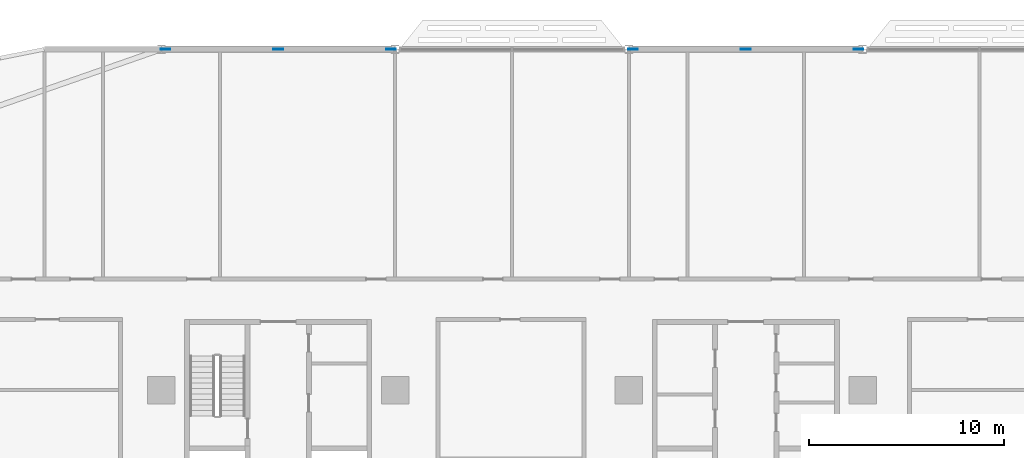
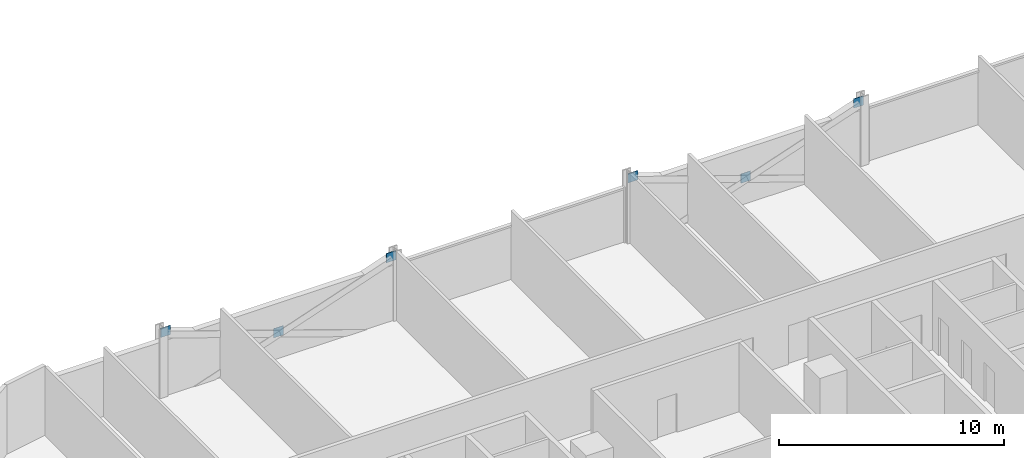
# One storey, part 20 of 29: 6 discrete accessories.
"""IFC4 building model written with IfcOpenShell, lengths in metres."""

from ifc_helpers import new_model, si_unit, direction, frame, origin, origin_2d, place, context, subcontext, project, spatial, rectangle, extrude, material, layer, layer_set, type_object, element, save


model = new_model("IFC4")

# Units and contexts
model_context = context("Model", 3, precision=1e-05, world=origin(), true_north=direction((0.0, 1.0)))
body_context = subcontext(model_context, "Body", "Model", "MODEL_VIEW")
ifc_project = project(units=[si_unit("LENGTHUNIT", "METRE"), si_unit("AREAUNIT", "SQUARE_METRE"), si_unit("VOLUMEUNIT", "CUBIC_METRE"), si_unit("PLANEANGLEUNIT", "RADIAN"), si_unit("MASSUNIT", "GRAM", prefix="KILO")], contexts=[model_context])

# Site, building, storey
site_placement = place(None, origin())
site = spatial("IfcSite", under=ifc_project, at=site_placement, CompositionType="ELEMENT")
building_placement = place(site_placement, origin())
building = spatial("IfcBuilding", under=site, at=building_placement, Name="Mahtab Terrace Research Tower", CompositionType="ELEMENT")
storey_placement = place(building_placement, frame((0.0, 0.0, 105.300048828125)))
storey = spatial("IfcBuildingStorey", under=building, at=storey_placement, Name="L24", CompositionType="ELEMENT", Elevation=105.300048828125)

# Discrete accessories
ifc_material = material(Name="Steel ASTM A992 Gr 50", Category="steel")
ifc_layer = layer(ifc_material, 0.030029296875)
ifc_layer_set = layer_set([ifc_layer], Name="Gusset plate 500x500x30")
discrete_accessory_type = type_object("IfcDiscreteAccessoryType", Name="Gusset plate 500x500x30", PredefinedType="USERDEFINED", material=ifc_layer_set)
for number, where, z_axis, x_axis, name in (
    (1, (-29.790283203125, 29.0, 3.131591796875), (0.0, 0.0, 1.0), (1.0, 0.0, 0.0), "Gusset plate"),
    (2, (-24.0, 29.0, 1.08154296875), (0.0, 0.0, 1.0), (1.0, 0.0, 0.0), "Gusset plate"),
    (3, (-18.209716796875, 29.0, 3.131591796875), (0.0, 0.0, 1.0), (1.0, 0.0, 0.0), "Gusset plate"),
    (4, (-5.790283203125, 29.0, 3.131591796875), (0.0, 0.0, 1.0), (1.0, 0.0, 0.0), "Gusset plate"),
    (5, (0.0, 29.0, 1.08154296875), (0.0, 0.0, 1.0), (1.0, 0.0, 0.0), "Gusset plate"),
    (6, (5.790283203125, 29.0, 3.131591796875), (0.0, 0.0, 1.0), (1.0, 0.0, 0.0), "Gusset plate"),
):
    element("IfcDiscreteAccessory", number, at=place(storey_placement, frame(where, z_axis=z_axis, x_axis=x_axis)), inside=storey, type_object=discrete_accessory_type, Name=name, ObjectType="GUSSET PLATE", PredefinedType="USERDEFINED", context=body_context, shape_type="SweptSolid", body=[
        extrude(rectangle(XDim=0.5, YDim=0.030029296875, at=origin_2d()), origin(), (0.0, 0.0, 1.0), 0.5),
    ])

save(model, "model.ifc")
